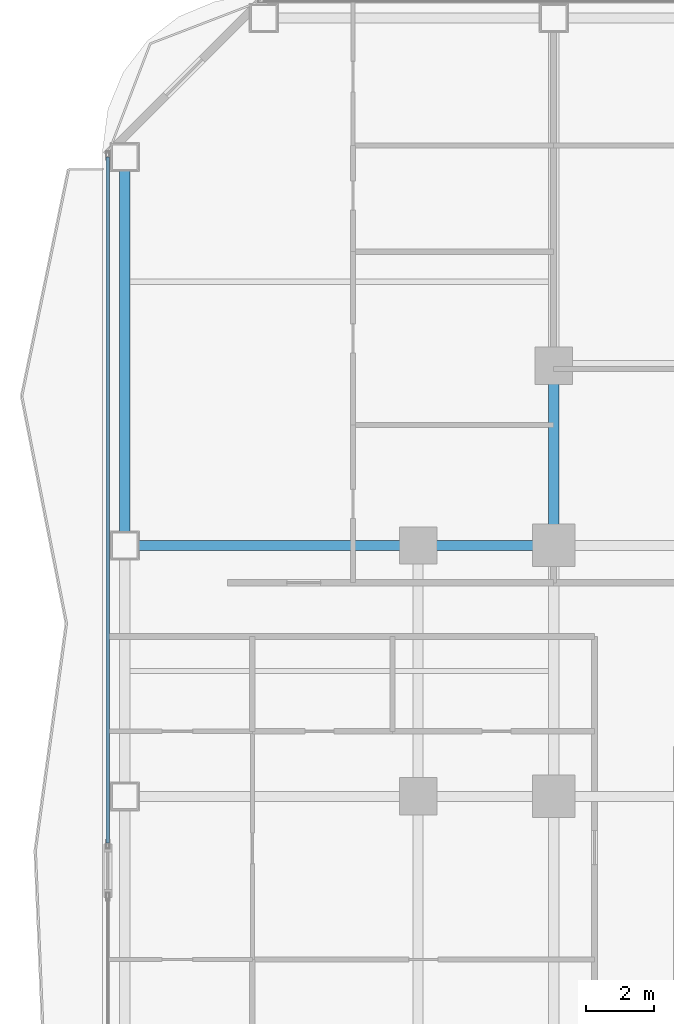
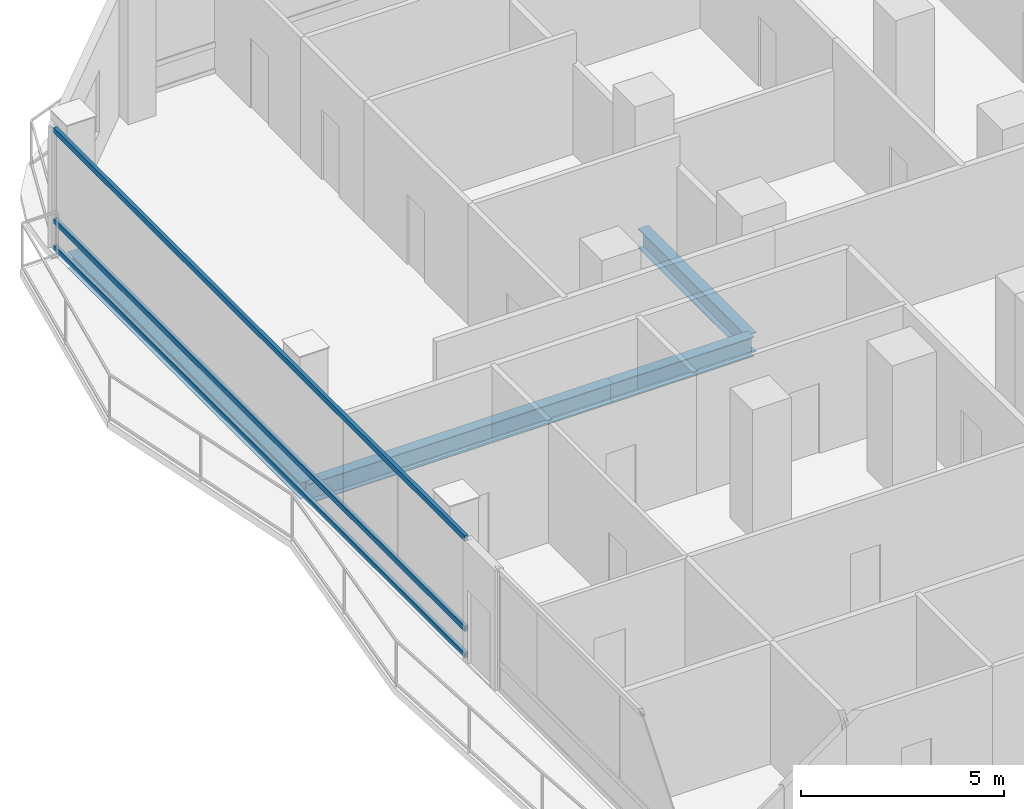
# One storey, part 12 of 28: 4 beams, 3 members, 1 element without a shape of its own.
"""IFC4 building model written with IfcOpenShell, lengths in metres."""

from ifc_helpers import new_model, si_unit, direction, frame, origin, origin_2d, place, context, subcontext, project, spatial, hollow_rectangle, i_section, extrude, material, layer, layer_set, material_profile, profile_set, type_object, element, aggregate, save


model = new_model("IFC4")

# Units and contexts
model_context = context("Model", 3, precision=1e-05, world=origin(), true_north=direction((0.0, 1.0)))
body_context = subcontext(model_context, "Body", "Model", "MODEL_VIEW")
ifc_project = project(units=[si_unit("LENGTHUNIT", "METRE"), si_unit("AREAUNIT", "SQUARE_METRE"), si_unit("VOLUMEUNIT", "CUBIC_METRE"), si_unit("PLANEANGLEUNIT", "RADIAN"), si_unit("MASSUNIT", "GRAM", prefix="KILO")], contexts=[model_context])

# Site, building, storey
site_placement = place(None, origin())
site = spatial("IfcSite", under=ifc_project, at=site_placement, CompositionType="ELEMENT")
building_placement = place(site_placement, origin())
building = spatial("IfcBuilding", under=site, at=building_placement, Name="Khorvyn Point Tower", CompositionType="ELEMENT")
storey_placement = place(building_placement, frame((0.0, 0.0, 104.699951171875)))
storey = spatial("IfcBuildingStorey", under=building, at=storey_placement, Name="L26", CompositionType="ELEMENT", Elevation=104.699951171875)

# Curtain wall, members
ifc_material_1 = material(Name="Anodised aluminium 6063-T6 and laminated Low-E glass", Category="aluminium")
ifc_layer = layer(ifc_material_1, 0.18994140625)
ifc_layer_set = layer_set([ifc_layer], Name="Stick-Built Finned Residential Curtain Wall CW-SYS-02")
curtain_wall_type = type_object("IfcCurtainWallType", Name="Stick-Built Finned Residential Curtain Wall CW-SYS-02", PredefinedType="NOTDEFINED", material=ifc_layer_set)
curtain_wall_placement = place(storey_placement, origin())
curtain_wall = element("IfcCurtainWall", 1, at=curtain_wall_placement, inside=storey, type_object=curtain_wall_type, Name="Curtain Wall", PredefinedType="NOTDEFINED")
ifc_material_2 = material(Name="Anodised aluminium 6063-T6", Category="aluminium")
ifc_material_profile_1 = material_profile(ifc_material_2, hollow_rectangle(XDim=0.10009765625, YDim=0.159912109375, WallThickness=0.00439453125, at=origin_2d()))
ifc_profile_set_1 = profile_set([ifc_material_profile_1], Name="Anodised aluminium 6063-T6 ALU-TRN-100x160")
member_type = type_object("IfcMemberType", Name="Anodised Aluminium 6063-T6 Transom ALU-TRN-100x160", PredefinedType="USERDEFINED", material=ifc_profile_set_1)
member_1_placement = place(storey_placement, frame((-27.949951171875, 6.030029296875, 0.050048828125), z_axis=(0.0, 1.0, 0.0), x_axis=(-1.0, 0.0, 0.0)))
member_1 = element("IfcMember", 2, at=member_1_placement, type_object=member_type, Name="Transom", ObjectType="TRANSOM", PredefinedType="USERDEFINED", context=body_context, shape_type="SweptSolid", body=[
    extrude(hollow_rectangle(XDim=0.10009765625, YDim=0.159912109375, WallThickness=0.00439453125, at=origin_2d()), origin(), (0.0, 0.0, 1.0), 20.219970703125),
])
member_2_placement = place(storey_placement, frame((-27.949951171875, 6.030029296875, 0.85009765625), z_axis=(0.0, 1.0, 0.0), x_axis=(-1.0, 0.0, 0.0)))
member_2 = element("IfcMember", 3, at=member_2_placement, type_object=member_type, Name="Transom", ObjectType="TRANSOM", PredefinedType="USERDEFINED", context=body_context, shape_type="SweptSolid", body=[
    extrude(hollow_rectangle(XDim=0.10009765625, YDim=0.159912109375, WallThickness=0.00439453125, at=origin_2d()), origin(), (0.0, 0.0, 1.0), 20.219970703125),
])
member_3_placement = place(storey_placement, frame((-27.949951171875, 6.030029296875, 3.570068359375), z_axis=(0.0, 1.0, 0.0), x_axis=(-1.0, 0.0, 0.0)))
member_3 = element("IfcMember", 4, at=member_3_placement, type_object=member_type, Name="Transom", ObjectType="TRANSOM", PredefinedType="USERDEFINED", context=body_context, shape_type="SweptSolid", body=[
    extrude(hollow_rectangle(XDim=0.10009765625, YDim=0.159912109375, WallThickness=0.00439453125, at=origin_2d()), origin(), (0.0, 0.0, 1.0), 20.219970703125),
])
aggregate(curtain_wall, [member_1, member_2, member_3])

# Beams
ifc_material_3 = material(Name="Steel S355", Category="steel")
ifc_material_profile_2 = material_profile(ifc_material_3, i_section(OverallWidth=0.300048828125, OverallDepth=0.587890625, WebThickness=0.011962890625, FlangeThickness=0.02001953125, at=origin_2d()))
ifc_profile_set_2 = profile_set([ifc_material_profile_2], Name="Steel S355 H588x300x12x20")
beam_type_1 = type_object("IfcBeamType", Name="Steel S355 Beam H588x300x12x20", PredefinedType="BEAM", material=ifc_profile_set_2)
beam_1_placement = place(storey_placement, frame((-27.449951171875, 14.800048828125, -0.513916015625), z_axis=(1.0, 0.0, 0.0), x_axis=(0.0, 1.0, 0.0)))
element("IfcBeam", 5, at=beam_1_placement, inside=storey, type_object=beam_type_1, Name="Beam", PredefinedType="BEAM", context=body_context, shape_type="SweptSolid", body=[
    extrude(i_section(OverallWidth=0.300048828125, OverallDepth=0.587890625, WebThickness=0.011962890625, FlangeThickness=0.02001953125, at=origin_2d()), origin(), (0.0, 0.0, 1.0), 8.64990234375),
])
beam_2_placement = place(storey_placement, frame((-18.800048828125, 14.800048828125, -0.513916015625), z_axis=(1.0, 0.0, 0.0), x_axis=(0.0, 1.0, 0.0)))
element("IfcBeam", 6, at=beam_2_placement, inside=storey, type_object=beam_type_1, Name="Beam", PredefinedType="BEAM", context=body_context, shape_type="SweptSolid", body=[
    extrude(i_section(OverallWidth=0.300048828125, OverallDepth=0.587890625, WebThickness=0.011962890625, FlangeThickness=0.02001953125, at=origin_2d()), origin(), (0.0, 0.0, 1.0), 4.0),
])
beam_3_placement = place(storey_placement, frame((-14.800048828125, 14.800048828125, -0.513916015625), z_axis=(0.0, 1.0, 0.0), x_axis=(-1.0, 0.0, 0.0)))
element("IfcBeam", 7, at=beam_3_placement, inside=storey, type_object=beam_type_1, Name="Beam", PredefinedType="BEAM", context=body_context, shape_type="SweptSolid", body=[
    extrude(i_section(OverallWidth=0.300048828125, OverallDepth=0.587890625, WebThickness=0.011962890625, FlangeThickness=0.02001953125, at=origin_2d()), origin(), (0.0, 0.0, 1.0), 5.300048828125),
])
ifc_material_profile_3 = material_profile(ifc_material_3, i_section(OverallWidth=0.300048828125, OverallDepth=0.488037109375, WebThickness=0.010986328125, FlangeThickness=0.01806640625, at=origin_2d()))
ifc_profile_set_3 = profile_set([ifc_material_profile_3], Name="Steel S355 H488x300x11x18")
beam_type_2 = type_object("IfcBeamType", Name="Steel S355 Spandrel H488x300x11x18", PredefinedType="SPANDREL", material=ifc_profile_set_3)
beam_4_placement = place(storey_placement, frame((-27.449951171875, 14.800048828125, -0.4638671875), z_axis=(0.0, 1.0, 0.0), x_axis=(-1.0, 0.0, 0.0)))
element("IfcBeam", 8, at=beam_4_placement, inside=storey, type_object=beam_type_2, Name="Beam", PredefinedType="SPANDREL", context=body_context, shape_type="SweptSolid", body=[
    extrude(i_section(OverallWidth=0.300048828125, OverallDepth=0.488037109375, WebThickness=0.010986328125, FlangeThickness=0.01806640625, at=origin_2d()), origin(), (0.0, 0.0, 1.0), 11.449951171875),
])

save(model, "model.ifc")
